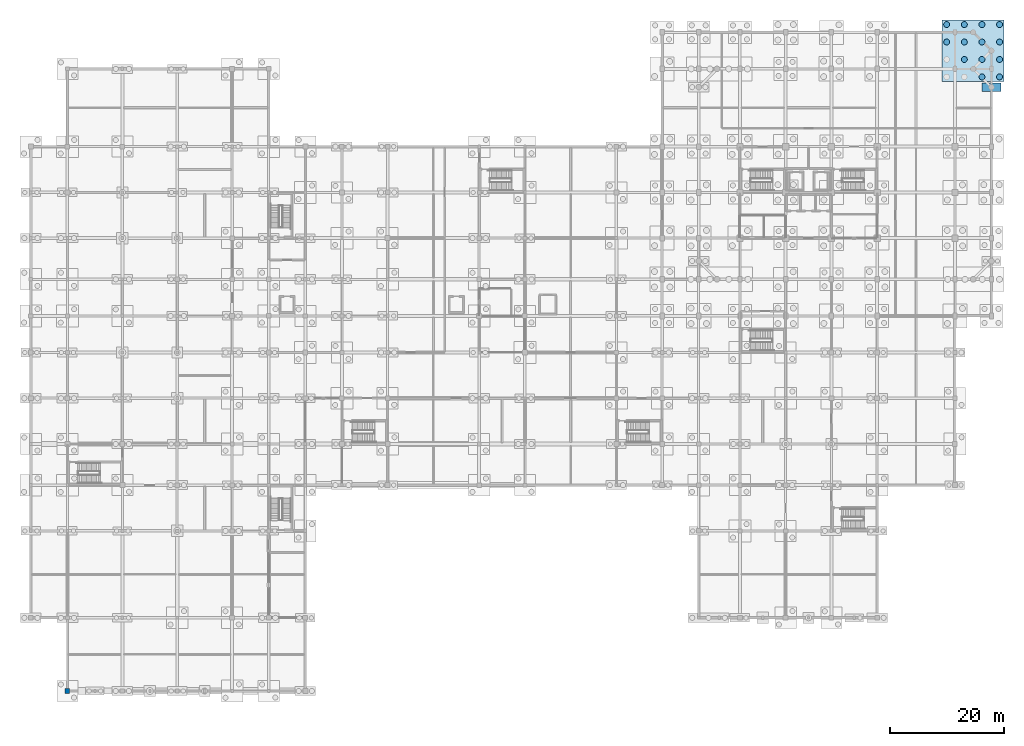
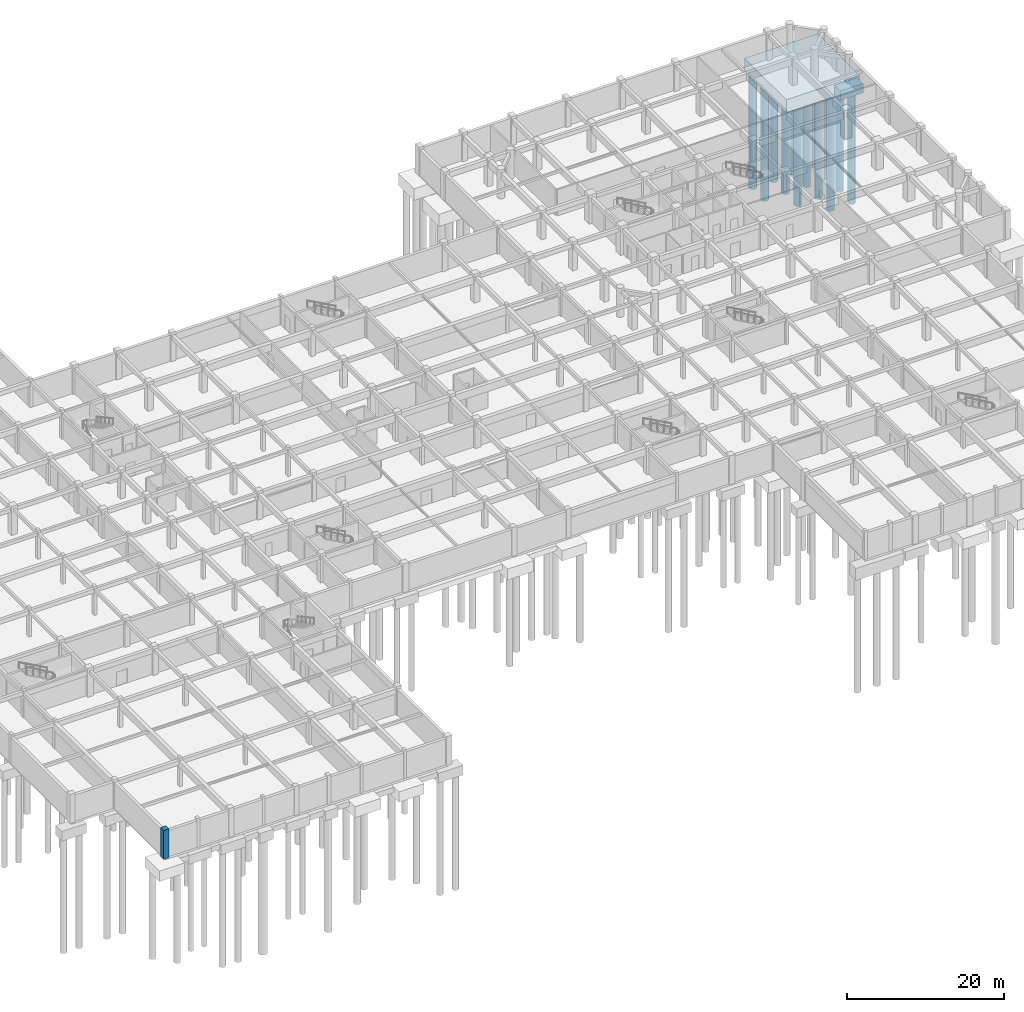
# One storey, part 5 of 28: 13 piles, 2 footings, 1 column.
"""IFC4 building model written with IfcOpenShell, lengths in metres."""

from ifc_helpers import new_model, si_unit, direction, frame, origin, origin_2d, place, context, subcontext, project, spatial, rectangle, circle, extrude, material, material_profile, profile_set, type_object, element, save


model = new_model("IFC4")

# Units and contexts
model_context = context("Model", 3, precision=1e-05, world=origin(), true_north=direction((0.0, 1.0)))
body_context = subcontext(model_context, "Body", "Model", "MODEL_VIEW")
ifc_project = project(units=[si_unit("LENGTHUNIT", "METRE"), si_unit("AREAUNIT", "SQUARE_METRE"), si_unit("VOLUMEUNIT", "CUBIC_METRE"), si_unit("PLANEANGLEUNIT", "RADIAN"), si_unit("MASSUNIT", "GRAM", prefix="KILO")], contexts=[model_context])

# Site, building, storey
site_placement = place(None, origin())
site = spatial("IfcSite", under=ifc_project, at=site_placement, CompositionType="ELEMENT")
building_placement = place(site_placement, origin())
building = spatial("IfcBuilding", under=site, at=building_placement, Name="Vellmiral Cinema and Media Centre", CompositionType="ELEMENT")
storey_placement = place(building_placement, frame((0.0, 0.0, -4.5)))
storey = spatial("IfcBuildingStorey", under=building, at=storey_placement, Name="B1", CompositionType="ELEMENT", Elevation=-4.5)

# Footings
ifc_material_1 = material(Name="Concrete C30/37", Category="concrete")
footing_type_1 = type_object("IfcFootingType", Name="FTG-PC-340x150x145", PredefinedType="PILE_CAP", material=ifc_material_1)
footing_1_placement = place(storey_placement, frame((168.0, 105.60009765625, -1.91015625), z_axis=(0.0, 0.0, 1.0), x_axis=(1.0, 0.0, 0.0)))
element("IfcFooting", 1, at=footing_1_placement, inside=storey, type_object=footing_type_1, Name="Pile Cap 231", PredefinedType="PILE_CAP", context=body_context, shape_type="SweptSolid", body=[
    extrude(rectangle(XDim=3.39990234375, YDim=1.5, at=origin_2d()), origin(), (0.0, 0.0, 1.0), 1.449951171875),
])
ifc_material_2 = material(Name="Concrete C30/37", Category="concrete")
footing_type_2 = type_object("IfcFootingType", Name="FTG-PCC-1080x1070x200", PredefinedType="PILE_CAP", material=ifc_material_2)
footing_2_placement = place(storey_placement, frame((164.78759765625, 111.97509765625, -2.4599609375), z_axis=(0.0, 0.0, 1.0), x_axis=(1.0, 0.0, 0.0)))
element("IfcFooting", 2, at=footing_2_placement, inside=storey, type_object=footing_type_2, Name="Pile Cap 216", PredefinedType="PILE_CAP", context=body_context, shape_type="SweptSolid", body=[
    extrude(rectangle(XDim=10.800048828125, YDim=10.699951171875, at=origin_2d()), origin(), (0.0, 0.0, 1.0), 2.0),
])

# Piles
ifc_material_3 = material(Name="Concrete C30/37", Category="concrete")
ifc_material_profile_1 = material_profile(ifc_material_3, circle(Radius=0.52490234375, at=origin_2d()), Name="PILE D1050")
ifc_profile_set_1 = profile_set([ifc_material_profile_1], Name="Concrete C30/37")
pile_type = type_object("IfcPileType", Name="PIL-BORED-D1050-L18", PredefinedType="BORED", material=ifc_profile_set_1)
for number, where, z_axis, x_axis, name in (
    (3, (160.16259765625, 113.5, -2.360107421875), (0.0, 0.0, -1.0), (1.0, 0.0, 0.0), "Bored Pile 216-3"),
    (4, (160.16259765625, 116.550048828125, -2.360107421875), (0.0, 0.0, -1.0), (1.0, 0.0, 0.0), "Bored Pile 216-4"),
    (5, (163.245849609375, 110.449951171875, -2.360107421875), (0.0, 0.0, -1.0), (1.0, 0.0, 0.0), "Bored Pile 216-6"),
    (6, (163.245849609375, 113.5, -2.360107421875), (0.0, 0.0, -1.0), (1.0, 0.0, 0.0), "Bored Pile 216-7"),
    (7, (163.245849609375, 116.550048828125, -2.360107421875), (0.0, 0.0, -1.0), (1.0, 0.0, 0.0), "Bored Pile 216-8"),
    (8, (166.3291015625, 107.39990234375, -2.360107421875), (0.0, 0.0, -1.0), (1.0, 0.0, 0.0), "Bored Pile 216-9"),
    (9, (166.3291015625, 110.449951171875, -2.360107421875), (0.0, 0.0, -1.0), (1.0, 0.0, 0.0), "Bored Pile 216-10"),
    (10, (166.3291015625, 113.5, -2.360107421875), (0.0, 0.0, -1.0), (1.0, 0.0, 0.0), "Bored Pile 216-11"),
    (11, (166.3291015625, 116.550048828125, -2.360107421875), (0.0, 0.0, -1.0), (1.0, 0.0, 0.0), "Bored Pile 216-12"),
    (12, (169.41259765625, 107.39990234375, -2.360107421875), (0.0, 0.0, -1.0), (1.0, 0.0, 0.0), "Bored Pile 216-13"),
    (13, (169.41259765625, 110.449951171875, -2.360107421875), (0.0, 0.0, -1.0), (1.0, 0.0, 0.0), "Bored Pile 216-14"),
    (14, (169.41259765625, 113.5, -2.360107421875), (0.0, 0.0, -1.0), (1.0, 0.0, 0.0), "Bored Pile 216-15"),
    (15, (169.41259765625, 116.550048828125, -2.360107421875), (0.0, 0.0, -1.0), (1.0, 0.0, 0.0), "Bored Pile 216-16"),
):
    element("IfcPile", number, at=place(storey_placement, frame(where, z_axis=z_axis, x_axis=x_axis)), inside=storey, type_object=pile_type, Name=name, PredefinedType="BORED", context=body_context, shape_type="SweptSolid", body=[
        extrude(circle(Radius=0.52490234375, at=origin_2d()), origin(), (0.0, 0.0, 1.0), 18.0),
    ])

# Column
ifc_material_4 = material(Name="Concrete C40/50", Category="concrete")
ifc_material_profile_2 = material_profile(ifc_material_4, rectangle(XDim=0.800048828125, YDim=0.800048828125, at=origin_2d()), Name="RC 800x800")
ifc_profile_set_2 = profile_set([ifc_material_profile_2], Name="Concrete C40/50")
column_type = type_object("IfcColumnType", Name="COL-RC-800x800", PredefinedType="COLUMN", material=ifc_profile_set_2)
column_placement = place(storey_placement, frame((6.39990234375, 0.0, 0.0), z_axis=(0.0, 0.0, 1.0), x_axis=(1.0, 0.0, 0.0)))
element("IfcColumn", 16, at=column_placement, inside=storey, type_object=column_type, Name="Column B1-012", PredefinedType="COLUMN", context=body_context, shape_type="SweptSolid", body=[
    extrude(rectangle(XDim=0.800048828125, YDim=0.800048828125, at=origin_2d()), origin(), (0.0, 0.0, 1.0), 4.5),
])

save(model, "model.ifc")
